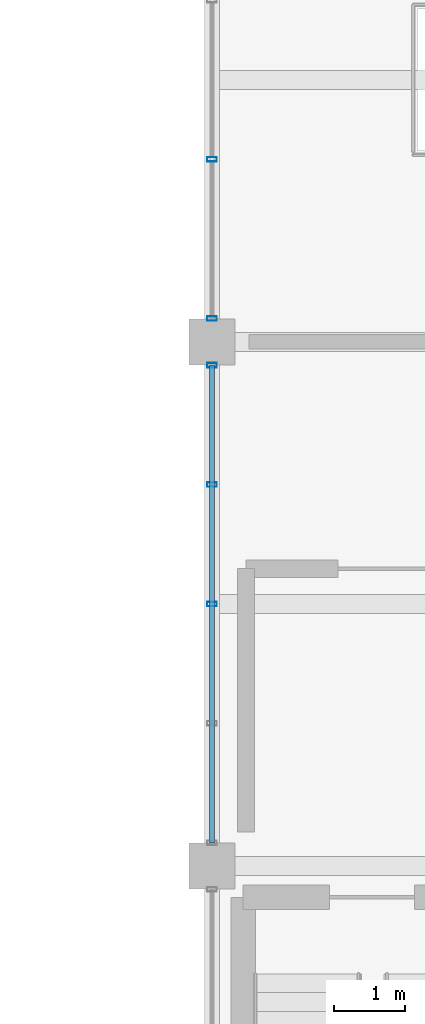
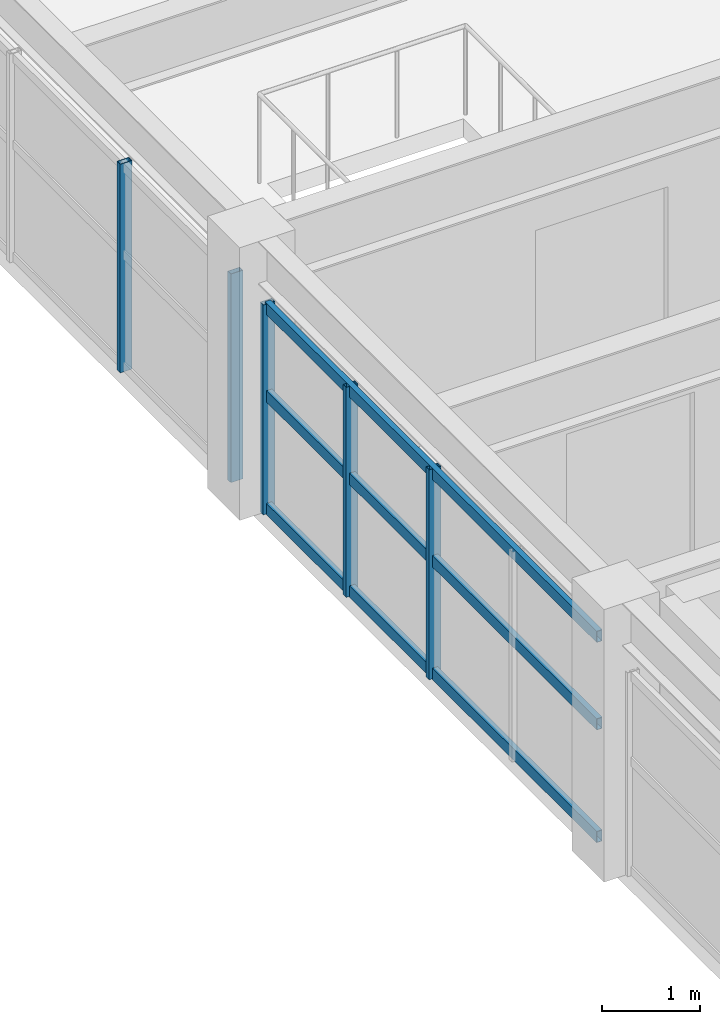
# One storey, part 47 of 93: 8 members, 2 elements without a shape of their own.
"""IFC4 building model written with IfcOpenShell, lengths in metres."""

from ifc_helpers import new_model, si_unit, direction, frame, origin, origin_2d, place, context, subcontext, project, spatial, hollow_rectangle, extrude, material, material_profile, profile_set, type_object, element, aggregate, save


model = new_model("IFC4")

# Units and contexts
model_context = context("Model", 3, precision=1e-05, world=origin(), true_north=direction((0.0, 1.0)))
body_context = subcontext(model_context, "Body", "Model", "MODEL_VIEW")
ifc_project = project(units=[si_unit("LENGTHUNIT", "METRE"), si_unit("AREAUNIT", "SQUARE_METRE"), si_unit("VOLUMEUNIT", "CUBIC_METRE"), si_unit("PLANEANGLEUNIT", "RADIAN"), si_unit("MASSUNIT", "GRAM", prefix="KILO")], contexts=[model_context])

# Site, building, storey
site_placement = place(None, origin())
site = spatial("IfcSite", under=ifc_project, at=site_placement, CompositionType="ELEMENT")
building_placement = place(site_placement, origin())
building = spatial("IfcBuilding", under=site, at=building_placement, Name="Cimatlan Art Gallery", CompositionType="ELEMENT")
storey_placement = place(building_placement, frame((0.0, 0.0, 13.800048828125)))
storey = spatial("IfcBuildingStorey", under=building, at=storey_placement, Name="L03", CompositionType="ELEMENT", Elevation=13.800048828125)

# Curtain wall, members
ifc_material_1 = material(Name="Anodised bronze unitised curtain wall")
curtain_wall_type_1 = type_object("IfcCurtainWallType", Name="CW-V-06742X02603-B4", PredefinedType="NOTDEFINED", material=ifc_material_1)
curtain_wall_1_placement = place(storey_placement, origin())
curtain_wall_1 = element("IfcCurtainWall", 1, at=curtain_wall_1_placement, inside=storey, type_object=curtain_wall_type_1, Name="CW-L03-09-09-W", PredefinedType="NOTDEFINED")
ifc_material_2 = material(Name="Anodised bronze aluminium 6063-T6", Category="aluminium")
ifc_material_profile_1 = material_profile(ifc_material_2, hollow_rectangle(XDim=0.06494140625, YDim=0.139892578125, WallThickness=0.00390625, at=origin_2d()), Name="ALU65X140X4")
ifc_profile_set_1 = profile_set([ifc_material_profile_1], Name="Anodised bronze aluminium 6063-T6")
member_type_1 = type_object("IfcMemberType", Name="CW-MUL-140", PredefinedType="MULLION", material=ifc_profile_set_1)
member_1_placement = place(storey_placement, frame((74.89990234375, 72.0, 0.0), z_axis=(0.0, 0.0, 1.0), x_axis=(0.0, 1.0, 0.0)))
member_1 = element("IfcMember", 2, at=member_1_placement, type_object=member_type_1, Name="CW-L03-09-09-W-M3", PredefinedType="MULLION", context=body_context, shape_type="SweptSolid", body=[
    extrude(hollow_rectangle(XDim=0.06494140625, YDim=0.139892578125, WallThickness=0.00390625, at=origin_2d()), origin(), (0.0, 0.0, 1.0), 2.60302734375),
])
member_2_placement = place(storey_placement, frame((74.89990234375, 73.685546875, 0.0), z_axis=(0.0, 0.0, 1.0), x_axis=(0.0, 1.0, 0.0)))
member_2 = element("IfcMember", 3, at=member_2_placement, type_object=member_type_1, Name="CW-L03-09-09-W-M4", PredefinedType="MULLION", context=body_context, shape_type="SweptSolid", body=[
    extrude(hollow_rectangle(XDim=0.06494140625, YDim=0.139892578125, WallThickness=0.00390625, at=origin_2d()), origin(), (0.0, 0.0, 1.0), 2.60302734375),
])
member_3_placement = place(storey_placement, frame((74.89990234375, 75.37109375, 0.0), z_axis=(0.0, 0.0, 1.0), x_axis=(0.0, 1.0, 0.0)))
member_3 = element("IfcMember", 4, at=member_3_placement, type_object=member_type_1, Name="CW-L03-09-09-W-M5", PredefinedType="MULLION", context=body_context, shape_type="SweptSolid", body=[
    extrude(hollow_rectangle(XDim=0.06494140625, YDim=0.139892578125, WallThickness=0.00390625, at=origin_2d()), origin(), (0.0, 0.0, 1.0), 2.60302734375),
])

curtain_wall_type_2 = type_object("IfcCurtainWallType", Name="CW-V-06742X02588-B3", PredefinedType="NOTDEFINED", material=ifc_material_1)
curtain_wall_2_placement = place(storey_placement, origin())
curtain_wall_2 = element("IfcCurtainWall", 5, at=curtain_wall_2_placement, inside=storey, type_object=curtain_wall_type_2, Name="CW-L03-09-10-W", PredefinedType="NOTDEFINED")
member_4_placement = place(storey_placement, frame((74.89990234375, 76.029052734375, 0.0), z_axis=(0.0, 0.0, 1.0), x_axis=(0.0, 1.0, 0.0)))
member_4 = element("IfcMember", 6, at=member_4_placement, type_object=member_type_1, Name="CW-L03-09-10-W-M1", PredefinedType="MULLION", context=body_context, shape_type="SweptSolid", body=[
    extrude(hollow_rectangle(XDim=0.06494140625, YDim=0.139892578125, WallThickness=0.00390625, at=origin_2d()), origin(), (0.0, 0.0, 1.0), 2.587890625),
])
member_5_placement = place(storey_placement, frame((74.89990234375, 78.2763671875, 0.0), z_axis=(0.0, 0.0, 1.0), x_axis=(0.0, 1.0, 0.0)))
member_5 = element("IfcMember", 7, at=member_5_placement, type_object=member_type_1, Name="CW-L03-09-10-W-M2", PredefinedType="MULLION", context=body_context, shape_type="SweptSolid", body=[
    extrude(hollow_rectangle(XDim=0.06494140625, YDim=0.139892578125, WallThickness=0.00390625, at=origin_2d()), origin(), (0.0, 0.0, 1.0), 2.587890625),
])
aggregate(curtain_wall_2, [member_4, member_5])

# Member
ifc_material_profile_2 = material_profile(ifc_material_2, hollow_rectangle(XDim=0.06494140625, YDim=0.139892578125, WallThickness=0.00390625, at=origin_2d()), Name="ALU65X140X4")
ifc_profile_set_2 = profile_set([ifc_material_profile_2], Name="Anodised bronze aluminium 6063-T6")
member_type_2 = type_object("IfcMemberType", Name="CW-TRN-140", PredefinedType="USERDEFINED", material=ifc_profile_set_2)
member_6_placement = place(storey_placement, frame((74.89990234375, 68.62890625, 0.06005859375), z_axis=(0.0, 1.0, 0.0), x_axis=(-1.0, 0.0, 0.0)))
member_6 = element("IfcMember", 8, at=member_6_placement, type_object=member_type_2, Name="CW-L03-09-09-W-T1", ObjectType="TRANSOM", PredefinedType="USERDEFINED", context=body_context, shape_type="SweptSolid", body=[
    extrude(hollow_rectangle(XDim=0.06494140625, YDim=0.139892578125, WallThickness=0.00390625, at=origin_2d()), origin(), (0.0, 0.0, 1.0), 6.7421875),
])

member_7_placement = place(storey_placement, frame((74.89990234375, 68.62890625, 1.457763671875), z_axis=(0.0, 1.0, 0.0), x_axis=(-1.0, 0.0, 0.0)))
member_7 = element("IfcMember", 9, at=member_7_placement, type_object=member_type_2, Name="CW-L03-09-09-W-T2", ObjectType="TRANSOM", PredefinedType="USERDEFINED", context=body_context, shape_type="SweptSolid", body=[
    extrude(hollow_rectangle(XDim=0.06494140625, YDim=0.139892578125, WallThickness=0.00390625, at=origin_2d()), origin(), (0.0, 0.0, 1.0), 6.7421875),
])

member_8_placement = place(storey_placement, frame((74.89990234375, 68.62890625, 2.54296875), z_axis=(0.0, 1.0, 0.0), x_axis=(-1.0, 0.0, 0.0)))
member_8 = element("IfcMember", 10, at=member_8_placement, type_object=member_type_2, Name="CW-L03-09-09-W-T3", ObjectType="TRANSOM", PredefinedType="USERDEFINED", context=body_context, shape_type="SweptSolid", body=[
    extrude(hollow_rectangle(XDim=0.06494140625, YDim=0.139892578125, WallThickness=0.00390625, at=origin_2d()), origin(), (0.0, 0.0, 1.0), 6.7421875),
])

aggregate(curtain_wall_1, [member_1, member_2, member_3, member_6, member_7, member_8])

save(model, "model.ifc")
